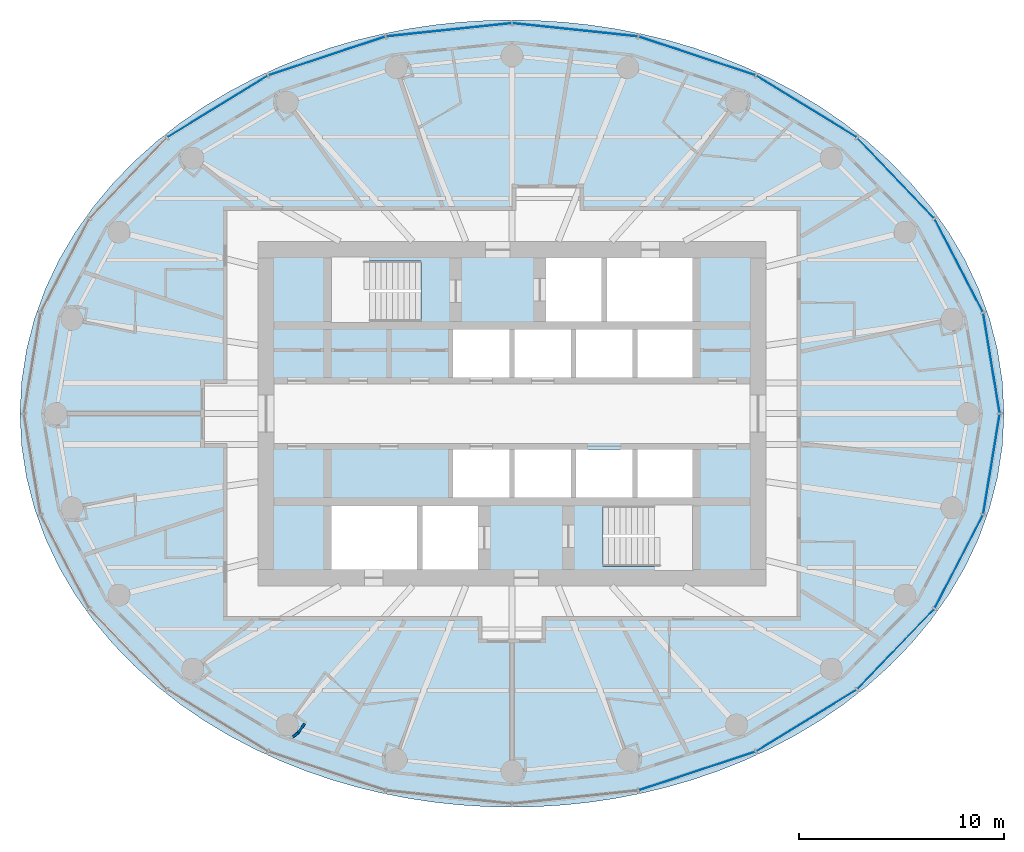
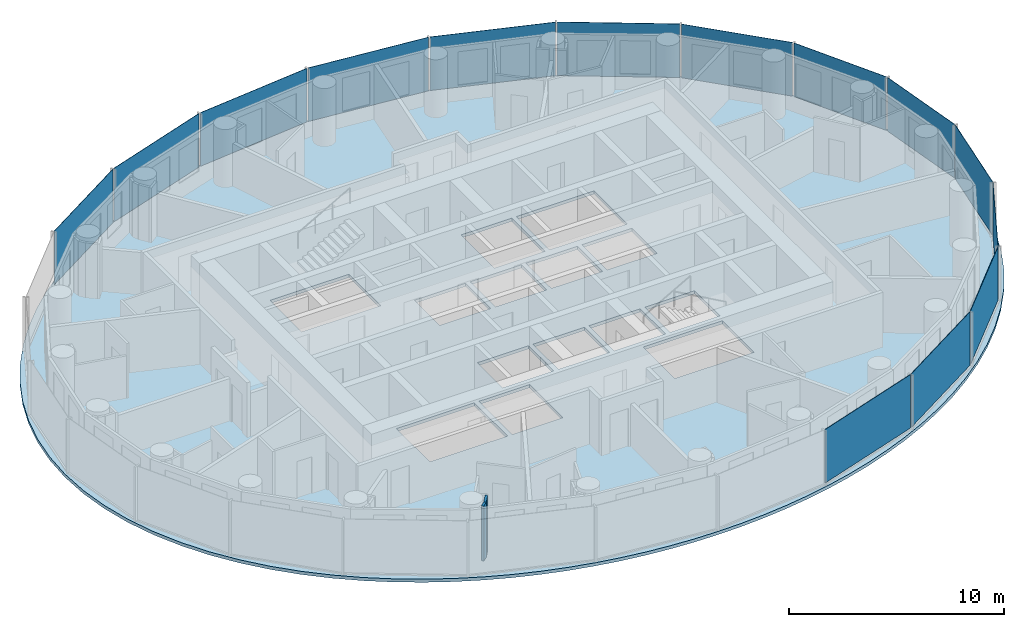
# One storey, part 5 of 13: 14 plates, 2 walls, 1 slab, 3 elements without a shape of their own.
"""IFC4 building model written with IfcOpenShell, lengths in metres."""

import ifcopenshell
import ifcopenshell.guid

model = None  # the IFC model being written
_history = None  # IfcOwnerHistory: only IFC2X3 demands one
_inside = {}  # id of a spatial element -> (the spatial element, [elements in it])
_under = {}  # id of a project, library or spatial element -> (it, [spatial elements below it])
_declared = {}  # id of a project -> (the project, [libraries it declares])
_typed = {}  # id of a type object -> (the type object, [elements of that type])
_made_of = {}  # id of a material, layer set ... -> (it, [elements and type objects made of it])


def new_model(schema):
    """Start an empty IFC model of exactly this schema.

    Asked for "IFC4X3", IfcOpenShell would pick the latest addendum, in which some entities
    have other attributes; the version numbers below select the first issue.
    IFC2X3 requires an IfcOwnerHistory on every rooted entity: one is made here for all.
    """
    global model, _history
    if schema == "IFC4X3":
        model = ifcopenshell.file(schema_version=(4, 3, 0, 0))
    else:
        model = ifcopenshell.file(schema=schema)
    _inside.clear()
    _under.clear()
    _declared.clear()
    _typed.clear()
    _made_of.clear()
    _history = None
    if model.schema == "IFC2X3":
        org = make("IfcOrganization", Name="unknown")
        user = make(
            "IfcPersonAndOrganization",
            ThePerson=make("IfcPerson", FamilyName="unknown"),
            TheOrganization=org,
        )
        app = make(
            "IfcApplication",
            ApplicationDeveloper=org,
            Version="unknown",
            ApplicationFullName="unknown",
            ApplicationIdentifier="unknown",
        )
        _history = make(
            "IfcOwnerHistory",
            OwningUser=user,
            OwningApplication=app,
            ChangeAction="ADDED",
            CreationDate=0,
        )
    return model


def make(cls, **values):
    """One entity of the class cls with the attributes given. An attribute that is None is left unset."""
    return model.create_entity(
        cls, **{name: value for name, value in values.items() if value is not None}
    )


def rooted(cls, **values):
    """An entity with a GlobalId (a new one), such as an element, a storey or a relation."""
    return make(cls, GlobalId=ifcopenshell.guid.new(), OwnerHistory=_history, **values)


def si_unit(unit_type, name, prefix=None):
    """IfcSIUnit, for example si_unit("LENGTHUNIT", "METRE", prefix="MILLI")."""
    return make("IfcSIUnit", UnitType=unit_type, Prefix=prefix, Name=name)


def assignment(units):
    """IfcUnitAssignment: the units of a project."""
    return None if units is None else make("IfcUnitAssignment", Units=units)


def point(xyz):
    """IfcCartesianPoint."""
    return None if xyz is None else make("IfcCartesianPoint", Coordinates=xyz)


def direction(xyz):
    """IfcDirection."""
    return None if xyz is None else make("IfcDirection", DirectionRatios=xyz)


def frame(location, z_axis=None, x_axis=None):
    """IfcAxis2Placement3D, a coordinate frame: its origin and axes. An axis left out is left unset."""
    return make(
        "IfcAxis2Placement3D",
        Location=point(location),
        Axis=direction(z_axis),
        RefDirection=direction(x_axis),
    )


def frame_2d(location, x_axis=None):
    """IfcAxis2Placement2D, a coordinate frame in the plane: its origin and x axis."""
    return make(
        "IfcAxis2Placement2D", Location=point(location), RefDirection=direction(x_axis)
    )


def origin():
    """The frame at (0, 0, 0) with its axes left unset."""
    return frame((0.0, 0.0, 0.0))


def origin_2d():
    """The frame at (0, 0) in the plane with its x axis left unset."""
    return frame_2d((0.0, 0.0))


def place(relative_to, where):
    """IfcLocalPlacement: puts the frame where relative to a parent placement (None: the world)."""
    return make(
        "IfcLocalPlacement", PlacementRelTo=relative_to, RelativePlacement=where
    )


def context(
    kind, dimensions, precision=None, world=None, true_north=None, identifier=None
):
    """IfcGeometricRepresentationContext, for example the 3D "Model" context."""
    return make(
        "IfcGeometricRepresentationContext",
        ContextIdentifier=identifier,
        ContextType=kind,
        CoordinateSpaceDimension=dimensions,
        Precision=precision,
        WorldCoordinateSystem=world,
        TrueNorth=true_north,
    )


def subcontext(parent, identifier, kind, view, scale=None):
    """IfcGeometricRepresentationSubContext, for example "Body" below "Model"."""
    return make(
        "IfcGeometricRepresentationSubContext",
        ContextIdentifier=identifier,
        ContextType=kind,
        ParentContext=parent,
        TargetScale=scale,
        TargetView=view,
    )


def project(units=None, contexts=None):
    """IfcProject with its units and contexts."""
    return rooted(
        "IfcProject",
        Name="project",
        RepresentationContexts=contexts,
        UnitsInContext=assignment(units),
    )


def spatial(cls, under=None, at=None, **own):
    """A site, building, storey or space (cls), placed at a placement, below another one or the project."""
    s = rooted(cls, ObjectPlacement=at, **own)
    if under is not None:
        _under.setdefault(under.id(), (under, []))[1].append(s)
    return s


def polyline(points):
    """IfcPolyline through the points."""
    return make("IfcPolyline", Points=[point(p) for p in points])


def profile(cls, at=None, kind="AREA", **sizes):
    """A parametric profile (cls). Its sizes go by their IFC names, for example OverallWidth=200.0."""
    return make(cls, ProfileType=kind, Position=at, **sizes)


def rectangle(**sizes):
    """IfcRectangleProfileDef."""
    return profile("IfcRectangleProfileDef", **sizes)


def outline(outer, holes=None, kind="AREA"):
    """IfcArbitraryClosedProfileDef: a profile drawn as a closed curve; with holes, ...WithVoids."""
    if holes is None:
        return make("IfcArbitraryClosedProfileDef", ProfileType=kind, OuterCurve=outer)
    return make(
        "IfcArbitraryProfileDefWithVoids",
        ProfileType=kind,
        OuterCurve=outer,
        InnerCurves=holes,
    )


def extrude(swept, where, along, depth):
    """IfcExtrudedAreaSolid: the profile swept, set in the frame where, extruded along a direction by depth."""
    return make(
        "IfcExtrudedAreaSolid",
        SweptArea=swept,
        Position=where,
        ExtrudedDirection=direction(along),
        Depth=depth,
    )


def shape(context_of_items, identifier, shape_type, items):
    """IfcShapeRepresentation: the items that make up one representation, for example the "Body"."""
    return make(
        "IfcShapeRepresentation",
        ContextOfItems=context_of_items,
        RepresentationIdentifier=identifier,
        RepresentationType=shape_type,
        Items=items,
    )


def material(Name=None, Category=None):
    """IfcMaterial."""
    return make("IfcMaterial", Name=Name, Category=Category)


def layer(
    of_material, thickness, ventilated=None, Name=None, Category=None, Priority=None
):
    """IfcMaterialLayer: one layer of a wall or slab, of a material (None: an air gap)."""
    return make(
        "IfcMaterialLayer",
        Material=of_material,
        LayerThickness=thickness,
        IsVentilated=ventilated,
        Name=Name,
        Category=Category,
        Priority=Priority,
    )


def layer_set(layers, Name=None):
    """IfcMaterialLayerSet."""
    return make("IfcMaterialLayerSet", MaterialLayers=layers, LayerSetName=Name)


def made_of(thing, what):
    """Note that an element or type object is made of a material, layer set ...; save() writes the relation."""
    if what is not None:
        _made_of.setdefault(what.id(), (what, []))[1].append(thing)
    return thing


def type_object(cls, material=None, **own):
    """A type object (cls), such as IfcWallType, which elements share."""
    return made_of(rooted(cls, **own), material)


def element(
    cls,
    number,
    at=None,
    inside=None,
    cuts=None,
    type_object=None,
    material=None,
    context=None,
    identifier="Body",
    shape_type=None,
    held_by="IfcProductDefinitionShape",
    body=None,
    shapes=None,
    **own,
):
    """One element of the class cls, such as IfcWall. Its Tag is "e" and its number.

    at: its placement. inside: the storey or other place that contains it. cuts: it is an
    opening in that element (IfcRelVoidsElement). A single representation is given by context,
    identifier, shape_type and body (its items); several are given by shapes. held_by: the class
    of the entity that holds the representations. save() writes the other relations.
    """
    e = rooted(cls, Tag="e%d" % number, ObjectPlacement=at, **own)
    if body is not None:
        shapes = [shape(context, identifier, shape_type, body)]
    if shapes is not None:
        e.Representation = make(held_by, Representations=shapes)
    if inside is not None:
        _inside.setdefault(inside.id(), (inside, []))[1].append(e)
    if cuts is not None:
        rooted(
            "IfcRelVoidsElement", RelatingBuildingElement=cuts, RelatedOpeningElement=e
        )
    if type_object is not None:
        _typed.setdefault(type_object.id(), (type_object, []))[1].append(e)
    return made_of(e, material)


def aggregate(whole, parts):
    """IfcRelAggregates: a whole, such as a stair, and the parts it consists of."""
    return rooted("IfcRelAggregates", RelatingObject=whole, RelatedObjects=parts)


def save(model, path):
    """Write the relations noted so far, then the file.

    IfcRelAggregates (storeys below a building ...), IfcRelContainedInSpatialStructure (elements
    in a storey), IfcRelDefinesByType, IfcRelAssociatesMaterial and IfcRelDeclares: one each for
    every whole, place, type object, material and project.
    """
    for whole, parts in _under.values():
        aggregate(whole, parts)
    for where, things in _inside.values():
        rooted(
            "IfcRelContainedInSpatialStructure",
            RelatedElements=things,
            RelatingStructure=where,
        )
    for kind, things in _typed.values():
        rooted("IfcRelDefinesByType", RelatedObjects=things, RelatingType=kind)
    for what, things in _made_of.values():
        rooted("IfcRelAssociatesMaterial", RelatedObjects=things, RelatingMaterial=what)
    for by, libraries in _declared.values():
        rooted("IfcRelDeclares", RelatingContext=by, RelatedDefinitions=libraries)
    model.write(path)


model = new_model("IFC4")

# Units and contexts
model_context = context("Model", 3, precision=1e-05, world=origin(), true_north=direction((0.0, 1.0)))
body_context = subcontext(model_context, "Body", "Model", "MODEL_VIEW")
ifc_project = project(units=[si_unit("LENGTHUNIT", "METRE"), si_unit("AREAUNIT", "SQUARE_METRE"), si_unit("VOLUMEUNIT", "CUBIC_METRE"), si_unit("PLANEANGLEUNIT", "RADIAN"), si_unit("MASSUNIT", "GRAM", prefix="KILO")], contexts=[model_context])

# Site, building, storey
site_placement = place(None, origin())
site = spatial("IfcSite", under=ifc_project, at=site_placement, CompositionType="ELEMENT")
building_placement = place(site_placement, origin())
building = spatial("IfcBuilding", under=site, at=building_placement, Name="Hankou Lantern Tower", CompositionType="ELEMENT")
storey_placement = place(building_placement, frame((0.0, 0.0, 163.199951171875)))
storey = spatial("IfcBuildingStorey", under=building, at=storey_placement, Name="L43", CompositionType="ELEMENT", Elevation=163.199951171875)

# Curtain wall, plates
ifc_material_1 = material(Name="Glass, dark grey tinted laminated", Category="glass")
curtain_wall_type = type_object("IfcCurtainWallType", Name="CWC OUTER SKIN HIGH-RISE", PredefinedType="USERDEFINED", material=ifc_material_1)
curtain_wall_1_placement = place(storey_placement, origin())
curtain_wall_1 = element("IfcCurtainWall", 1, at=curtain_wall_1_placement, inside=storey, type_object=curtain_wall_type, Name="CWC L43 OS1", ObjectType="OUTER SKIN HIGH-RISE", PredefinedType="USERDEFINED")
ifc_material_2 = material(Name="Glass, dark grey tinted laminated", Category="glass")
ifc_layer_1 = layer(ifc_material_2, 0.02392578125)
ifc_layer_set_1 = layer_set([ifc_layer_1], Name="Glass, dark grey tinted laminated")
plate_type = type_object("IfcPlateType", Name="PN1 OUTER SKIN GLASS PANEL", PredefinedType="CURTAIN_PANEL", material=ifc_layer_set_1)
plate_1_placement = place(storey_placement, frame((23.39453125, 2.4638671875, 0.080078125), z_axis=(0.0, 0.0, 1.0), x_axis=(-0.162381515188, 0.986728049427, 0.0)))
plate_1 = element("IfcPlate", 2, at=plate_1_placement, type_object=plate_type, Name="CWC glass panel 1", PredefinedType="CURTAIN_PANEL", context=body_context, shape_type="SweptSolid", body=[
    extrude(rectangle(XDim=4.914306640625, YDim=0.02392578125, at=origin_2d()), origin(), (0.0, 0.0, 1.0), 3.0400390625),
])
plate_2_placement = place(storey_placement, frame((21.80029296875, 7.223876953125, 0.080078125), z_axis=(0.0, 0.0, 1.0), x_axis=(-0.459791091957, 0.888027112062, 0.0)))
plate_2 = element("IfcPlate", 3, at=plate_2_placement, type_object=plate_type, Name="CWC glass panel 2", PredefinedType="CURTAIN_PANEL", context=body_context, shape_type="SweptSolid", body=[
    extrude(rectangle(XDim=5.091064453125, YDim=0.02392578125, at=origin_2d()), origin(), (0.0, 0.0, 1.0), 3.0400390625),
])
plate_3_placement = place(storey_placement, frame((18.72021484375, 11.49169921875, 0.080078125), z_axis=(0.0, 0.0, 1.0), x_axis=(-0.692215809936, 0.721690565599, 0.0)))
plate_3 = element("IfcPlate", 4, at=plate_3_placement, type_object=plate_type, Name="CWC glass panel 3", PredefinedType="CURTAIN_PANEL", context=body_context, shape_type="SweptSolid", body=[
    extrude(rectangle(XDim=5.384033203125, YDim=0.02392578125, at=origin_2d()), origin(), (0.0, 0.0, 1.0), 3.0400390625),
])
plate_4_placement = place(storey_placement, frame((14.364501953125, 14.976318359375, 0.080078125), z_axis=(0.0, 0.0, 1.0), x_axis=(-0.852237151549, 0.523155653242, 0.0)))
plate_4 = element("IfcPlate", 5, at=plate_4_placement, type_object=plate_type, Name="CWC glass panel 4", PredefinedType="CURTAIN_PANEL", context=body_context, shape_type="SweptSolid", body=[
    extrude(rectangle(XDim=5.703857421875, YDim=0.02392578125, at=origin_2d()), origin(), (0.0, 0.0, 1.0), 3.0400390625),
])
plate_5_placement = place(storey_placement, frame((9.030029296875, 17.440185546875, 0.080078125), z_axis=(0.0, 0.0, 1.0), x_axis=(-0.949240677293, 0.31455068999, 0.0)))
plate_5 = element("IfcPlate", 6, at=plate_5_placement, type_object=plate_type, Name="CWC glass panel 5", PredefinedType="CURTAIN_PANEL", context=body_context, shape_type="SweptSolid", body=[
    extrude(rectangle(XDim=5.967041015625, YDim=0.02392578125, at=origin_2d()), origin(), (0.0, 0.0, 1.0), 3.0400390625),
])
plate_6_placement = place(storey_placement, frame((3.079833984375, 18.715576171875, 0.080078125), z_axis=(0.0, 0.0, 1.0), x_axis=(-0.994499359107, 0.104742659579, 0.0)))
plate_6 = element("IfcPlate", 7, at=plate_6_placement, type_object=plate_type, Name="CWC glass panel 6", PredefinedType="CURTAIN_PANEL", context=body_context, shape_type="SweptSolid", body=[
    extrude(rectangle(XDim=6.114013671875, YDim=0.02392578125, at=origin_2d()), origin(), (0.0, 0.0, 1.0), 3.0400390625),
])
aggregate(curtain_wall_1, [plate_1, plate_2, plate_3, plate_4, plate_5, plate_6])

curtain_wall_2_placement = place(storey_placement, origin())
curtain_wall_2 = element("IfcCurtainWall", 8, at=curtain_wall_2_placement, inside=storey, type_object=curtain_wall_type, Name="CWC L43 OS2", ObjectType="OUTER SKIN HIGH-RISE", PredefinedType="USERDEFINED")
plate_7_placement = place(storey_placement, frame((-3.079833984375, 18.715576171875, 0.080078125), z_axis=(0.0, 0.0, 1.0), x_axis=(-0.994499359107, -0.104742659579, 0.0)))
plate_7 = element("IfcPlate", 9, at=plate_7_placement, type_object=plate_type, Name="CWC glass panel 1", PredefinedType="CURTAIN_PANEL", context=body_context, shape_type="SweptSolid", body=[
    extrude(rectangle(XDim=6.114013671875, YDim=0.02392578125, at=origin_2d()), origin(), (0.0, 0.0, 1.0), 3.0400390625),
])
plate_8_placement = place(storey_placement, frame((-9.030029296875, 17.440185546875, 0.080078125), z_axis=(0.0, 0.0, 1.0), x_axis=(-0.949240677293, -0.31455068999, 0.0)))
plate_8 = element("IfcPlate", 10, at=plate_8_placement, type_object=plate_type, Name="CWC glass panel 2", PredefinedType="CURTAIN_PANEL", context=body_context, shape_type="SweptSolid", body=[
    extrude(rectangle(XDim=5.967041015625, YDim=0.02392578125, at=origin_2d()), origin(), (0.0, 0.0, 1.0), 3.0400390625),
])
plate_9_placement = place(storey_placement, frame((-14.364501953125, 14.976318359375, 0.080078125), z_axis=(0.0, 0.0, 1.0), x_axis=(-0.852237151549, -0.523155653242, 0.0)))
plate_9 = element("IfcPlate", 11, at=plate_9_placement, type_object=plate_type, Name="CWC glass panel 3", PredefinedType="CURTAIN_PANEL", context=body_context, shape_type="SweptSolid", body=[
    extrude(rectangle(XDim=5.703857421875, YDim=0.02392578125, at=origin_2d()), origin(), (0.0, 0.0, 1.0), 3.0400390625),
])
aggregate(curtain_wall_2, [plate_7, plate_8, plate_9])

curtain_wall_3_placement = place(storey_placement, origin())
curtain_wall_3 = element("IfcCurtainWall", 12, at=curtain_wall_3_placement, inside=storey, type_object=curtain_wall_type, Name="CWC L43 OS4", ObjectType="OUTER SKIN HIGH-RISE", PredefinedType="USERDEFINED")
plate_10_placement = place(storey_placement, frame((9.030029296875, -17.440185546875, 0.080078125), z_axis=(0.0, 0.0, 1.0), x_axis=(0.949240677293, 0.31455068999, 0.0)))
plate_10 = element("IfcPlate", 13, at=plate_10_placement, type_object=plate_type, Name="CWC glass panel 2", PredefinedType="CURTAIN_PANEL", context=body_context, shape_type="SweptSolid", body=[
    extrude(rectangle(XDim=5.967041015625, YDim=0.02392578125, at=origin_2d()), origin(), (0.0, 0.0, 1.0), 3.0400390625),
])
plate_11_placement = place(storey_placement, frame((14.364501953125, -14.976318359375, 0.080078125), z_axis=(0.0, 0.0, 1.0), x_axis=(0.852237151549, 0.523155653242, 0.0)))
plate_11 = element("IfcPlate", 14, at=plate_11_placement, type_object=plate_type, Name="CWC glass panel 3", PredefinedType="CURTAIN_PANEL", context=body_context, shape_type="SweptSolid", body=[
    extrude(rectangle(XDim=5.703857421875, YDim=0.02392578125, at=origin_2d()), origin(), (0.0, 0.0, 1.0), 3.0400390625),
])
plate_12_placement = place(storey_placement, frame((18.72021484375, -11.49169921875, 0.080078125), z_axis=(0.0, 0.0, 1.0), x_axis=(0.692215809936, 0.721690565599, 0.0)))
plate_12 = element("IfcPlate", 15, at=plate_12_placement, type_object=plate_type, Name="CWC glass panel 4", PredefinedType="CURTAIN_PANEL", context=body_context, shape_type="SweptSolid", body=[
    extrude(rectangle(XDim=5.384033203125, YDim=0.02392578125, at=origin_2d()), origin(), (0.0, 0.0, 1.0), 3.0400390625),
])
plate_13_placement = place(storey_placement, frame((21.80029296875, -7.223876953125, 0.080078125), z_axis=(0.0, 0.0, 1.0), x_axis=(0.459791091957, 0.888027112062, 0.0)))
plate_13 = element("IfcPlate", 16, at=plate_13_placement, type_object=plate_type, Name="CWC glass panel 5", PredefinedType="CURTAIN_PANEL", context=body_context, shape_type="SweptSolid", body=[
    extrude(rectangle(XDim=5.091064453125, YDim=0.02392578125, at=origin_2d()), origin(), (0.0, 0.0, 1.0), 3.0400390625),
])
plate_14_placement = place(storey_placement, frame((23.39453125, -2.4638671875, 0.080078125), z_axis=(0.0, 0.0, 1.0), x_axis=(0.162381515188, 0.986728049427, 0.0)))
plate_14 = element("IfcPlate", 17, at=plate_14_placement, type_object=plate_type, Name="CWC glass panel 6", PredefinedType="CURTAIN_PANEL", context=body_context, shape_type="SweptSolid", body=[
    extrude(rectangle(XDim=4.914306640625, YDim=0.02392578125, at=origin_2d()), origin(), (0.0, 0.0, 1.0), 3.0400390625),
])
aggregate(curtain_wall_3, [plate_10, plate_11, plate_12, plate_13, plate_14])

# Slab
ifc_material_3 = material(Name="Concrete C50", Category="concrete")
ifc_layer_2 = layer(ifc_material_3, 0.179931640625)
ifc_layer_set_2 = layer_set([ifc_layer_2], Name="Concrete C50")
slab_type = type_object("IfcSlabType", Name="S1 CONCRETE FLOOR SLAB 180", PredefinedType="FLOOR", material=ifc_layer_set_2)
slab_placement = place(storey_placement, frame((0.0, 0.0, -0.179931640625)))
element("IfcSlab", 18, at=slab_placement, inside=storey, type_object=slab_type, Name="Floor slab L43", PredefinedType="FLOOR", context=body_context, shape_type="SweptSolid", body=[
    extrude(outline(polyline([(24.0, 0.0), (23.919921875, 1.56787109375), (23.681396484375, 3.11767578125), (23.290771484375, 4.6328125), (22.75732421875, 6.097900390625), (22.09326171875, 7.499755859375), (21.312744140625, 8.827880859375), (20.43017578125, 10.0751953125), (19.461181640625, 11.23583984375), (18.420166015625, 12.307861328125), (17.320556640625, 13.29052734375), (16.174560546875, 14.184814453125), (14.99267578125, 14.99267578125), (13.783935546875, 15.717529296875), (12.5556640625, 16.363037109375), (11.31396484375, 16.9326171875), (10.0634765625, 17.4306640625), (8.8076171875, 17.8603515625), (7.54931640625, 18.225341796875), (6.289794921875, 18.52880859375), (5.0302734375, 18.7734375), (3.771728515625, 18.96142578125), (2.513916015625, 19.094482421875), (1.256591796875, 19.173583984375), (0.0, 19.199951171875), (-1.256591796875, 19.173583984375), (-2.513916015625, 19.094482421875), (-3.771728515625, 18.96142578125), (-5.0302734375, 18.7734375), (-6.289794921875, 18.52880859375), (-7.54931640625, 18.225341796875), (-8.8076171875, 17.8603515625), (-10.0634765625, 17.4306640625), (-11.31396484375, 16.9326171875), (-12.5556640625, 16.363037109375), (-13.783935546875, 15.717529296875), (-14.99267578125, 14.99267578125), (-16.174560546875, 14.184814453125), (-17.320556640625, 13.29052734375), (-18.420166015625, 12.307861328125), (-19.461181640625, 11.23583984375), (-20.43017578125, 10.0751953125), (-21.312744140625, 8.827880859375), (-22.09326171875, 7.499755859375), (-22.75732421875, 6.097900390625), (-23.290771484375, 4.6328125), (-23.681396484375, 3.11767578125), (-23.919921875, 1.56787109375), (-24.0, 0.0), (-23.919921875, -1.56787109375), (-23.681396484375, -3.11767578125), (-23.290771484375, -4.6328125), (-22.75732421875, -6.097900390625), (-22.09326171875, -7.499755859375), (-21.312744140625, -8.827880859375), (-20.43017578125, -10.0751953125), (-19.461181640625, -11.23583984375), (-18.420166015625, -12.307861328125), (-17.320556640625, -13.29052734375), (-16.174560546875, -14.184814453125), (-14.99267578125, -14.99267578125), (-13.783935546875, -15.717529296875), (-12.5556640625, -16.363037109375), (-11.31396484375, -16.9326171875), (-10.0634765625, -17.4306640625), (-8.8076171875, -17.8603515625), (-7.54931640625, -18.225341796875), (-6.289794921875, -18.52880859375), (-5.0302734375, -18.7734375), (-3.771728515625, -18.96142578125), (-2.513916015625, -19.094482421875), (-1.256591796875, -19.173583984375), (0.0, -19.199951171875), (1.256591796875, -19.173583984375), (2.513916015625, -19.094482421875), (3.771728515625, -18.96142578125), (5.0302734375, -18.7734375), (6.289794921875, -18.52880859375), (7.54931640625, -18.225341796875), (8.8076171875, -17.8603515625), (10.0634765625, -17.4306640625), (11.31396484375, -16.9326171875), (12.5556640625, -16.363037109375), (13.783935546875, -15.717529296875), (14.99267578125, -14.99267578125), (16.174560546875, -14.184814453125), (17.320556640625, -13.29052734375), (18.420166015625, -12.307861328125), (19.461181640625, -11.23583984375), (20.43017578125, -10.0751953125), (21.312744140625, -8.827880859375), (22.09326171875, -7.499755859375), (22.75732421875, -6.097900390625), (23.290771484375, -4.6328125), (23.681396484375, -3.11767578125), (23.919921875, -1.56787109375), (24.0, 0.0)]), holes=[polyline([(-2.875, 4.10009765625), (-0.125, 4.10009765625), (-0.125, 1.75), (-2.875, 1.75), (-2.875, 4.10009765625)]), polyline([(0.125, 4.10009765625), (2.875, 4.10009765625), (2.875, 1.75), (0.125, 1.75), (0.125, 4.10009765625)]), polyline([(3.125, 4.10009765625), (5.875, 4.10009765625), (5.875, 1.75), (3.125, 1.75), (3.125, 4.10009765625)]), polyline([(6.125, 4.10009765625), (8.800048828125, 4.10009765625), (8.800048828125, 1.75), (6.125, 1.75), (6.125, 4.10009765625)]), polyline([(-2.875, -1.75), (-0.125, -1.75), (-0.125, -4.10009765625), (-2.875, -4.10009765625), (-2.875, -1.75)]), polyline([(0.125, -1.75), (2.875, -1.75), (2.875, -4.10009765625), (0.125, -4.10009765625), (0.125, -1.75)]), polyline([(3.125, -1.75), (5.875, -1.75), (5.875, -4.10009765625), (3.125, -4.10009765625), (3.125, -1.75)]), polyline([(6.125, -1.75), (8.800048828125, -1.75), (8.800048828125, -4.10009765625), (6.125, -4.10009765625), (6.125, -1.75)]), polyline([(1.64990234375, 7.60009765625), (4.375, 7.60009765625), (4.375, 4.5), (1.64990234375, 4.5), (1.64990234375, 7.60009765625)]), polyline([(-4.375, -4.5), (-1.64990234375, -4.5), (-1.64990234375, -7.60009765625), (-4.375, -7.60009765625), (-4.375, -4.5)]), polyline([(-8.699951171875, 7.449951171875), (-4.449951171875, 7.449951171875), (-4.449951171875, 4.5), (-8.699951171875, 4.5), (-8.699951171875, 7.449951171875)]), polyline([(4.449951171875, -4.5), (8.699951171875, -4.5), (8.699951171875, -7.449951171875), (4.449951171875, -7.449951171875), (4.449951171875, -4.5)]), polyline([(4.625, 7.60009765625), (8.800048828125, 7.60009765625), (8.800048828125, 4.5), (4.625, 4.5), (4.625, 7.60009765625)]), polyline([(-8.800048828125, -4.5), (-4.625, -4.5), (-4.625, -7.60009765625), (-8.800048828125, -7.60009765625), (-8.800048828125, -4.5)])]), origin(), (0.0, 0.0, 1.0), 0.179931640625),
])

# Walls
ifc_material_4 = material(Name="Masonry lightweight concrete block", Category="masonry")
ifc_layer_3 = layer(ifc_material_4, 0.1201171875)
ifc_layer_set_3 = layer_set([ifc_layer_3], Name="Masonry lightweight concrete block")
wall_type = type_object("IfcWallType", Name="IW3 BATHROOM WALL 120", PredefinedType="PARTITIONING", material=ifc_layer_set_3)
wall_1_placement = place(storey_placement, frame((-10.10888671875, -15.121826171875, 0.0), z_axis=(0.0, 0.0, 1.0), x_axis=(-0.585344718358, -0.810784534072, 0.0)))
element("IfcWall", 19, at=wall_1_placement, inside=storey, type_object=wall_type, Name="Column casing 4306", PredefinedType="PARTITIONING", context=body_context, shape_type="SweptSolid", body=[
    extrude(rectangle(XDim=0.550048828125, YDim=0.1201171875, at=frame_2d((0.27490234375, 0.0))), origin(), (0.0, 0.0, 1.0), 3.1201171875),
])
wall_2_placement = place(storey_placement, frame((-10.430908203125, -15.56787109375, 0.0), z_axis=(0.0, 0.0, 1.0), x_axis=(-0.77505137267, -0.631898227345, 0.0)))
element("IfcWall", 20, at=wall_2_placement, inside=storey, type_object=wall_type, Name="Column casing 4306", PredefinedType="PARTITIONING", context=body_context, shape_type="SweptSolid", body=[
    extrude(rectangle(XDim=0.337646484375, YDim=0.1201171875, at=frame_2d((0.1689453125, 0.0))), origin(), (0.0, 0.0, 1.0), 3.1201171875),
])

save(model, "model.ifc")
